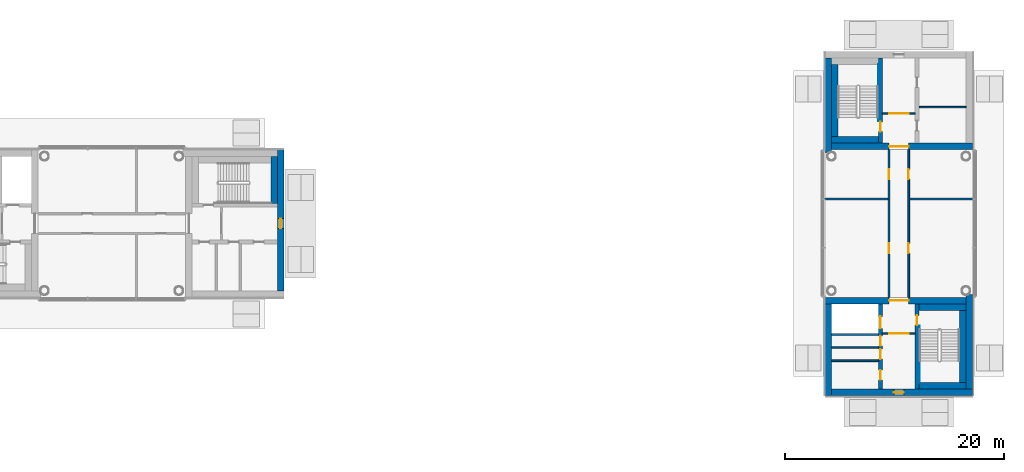
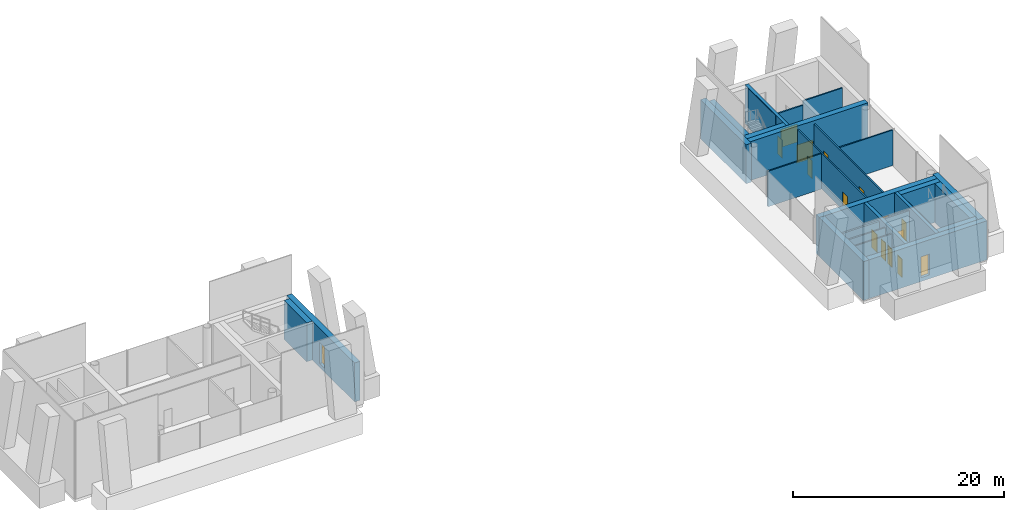
# One storey, part 6 of 12: 28 walls, 14 doors, 2 windows, 16 openings.
"""IFC4 building model written with IfcOpenShell, lengths in metres."""

import ifcopenshell
import ifcopenshell.guid

model = None  # the IFC model being written
_history = None  # IfcOwnerHistory: only IFC2X3 demands one
_inside = {}  # id of a spatial element -> (the spatial element, [elements in it])
_under = {}  # id of a project, library or spatial element -> (it, [spatial elements below it])
_declared = {}  # id of a project -> (the project, [libraries it declares])
_typed = {}  # id of a type object -> (the type object, [elements of that type])
_made_of = {}  # id of a material, layer set ... -> (it, [elements and type objects made of it])


def new_model(schema):
    """Start an empty IFC model of exactly this schema.

    Asked for "IFC4X3", IfcOpenShell would pick the latest addendum, in which some entities
    have other attributes; the version numbers below select the first issue.
    IFC2X3 requires an IfcOwnerHistory on every rooted entity: one is made here for all.
    """
    global model, _history
    if schema == "IFC4X3":
        model = ifcopenshell.file(schema_version=(4, 3, 0, 0))
    else:
        model = ifcopenshell.file(schema=schema)
    _inside.clear()
    _under.clear()
    _declared.clear()
    _typed.clear()
    _made_of.clear()
    _history = None
    if model.schema == "IFC2X3":
        org = make("IfcOrganization", Name="unknown")
        user = make(
            "IfcPersonAndOrganization",
            ThePerson=make("IfcPerson", FamilyName="unknown"),
            TheOrganization=org,
        )
        app = make(
            "IfcApplication",
            ApplicationDeveloper=org,
            Version="unknown",
            ApplicationFullName="unknown",
            ApplicationIdentifier="unknown",
        )
        _history = make(
            "IfcOwnerHistory",
            OwningUser=user,
            OwningApplication=app,
            ChangeAction="ADDED",
            CreationDate=0,
        )
    return model


def make(cls, **values):
    """One entity of the class cls with the attributes given. An attribute that is None is left unset."""
    return model.create_entity(
        cls, **{name: value for name, value in values.items() if value is not None}
    )


def rooted(cls, **values):
    """An entity with a GlobalId (a new one), such as an element, a storey or a relation."""
    return make(cls, GlobalId=ifcopenshell.guid.new(), OwnerHistory=_history, **values)


def si_unit(unit_type, name, prefix=None):
    """IfcSIUnit, for example si_unit("LENGTHUNIT", "METRE", prefix="MILLI")."""
    return make("IfcSIUnit", UnitType=unit_type, Prefix=prefix, Name=name)


def assignment(units):
    """IfcUnitAssignment: the units of a project."""
    return None if units is None else make("IfcUnitAssignment", Units=units)


def point(xyz):
    """IfcCartesianPoint."""
    return None if xyz is None else make("IfcCartesianPoint", Coordinates=xyz)


def direction(xyz):
    """IfcDirection."""
    return None if xyz is None else make("IfcDirection", DirectionRatios=xyz)


def frame(location, z_axis=None, x_axis=None):
    """IfcAxis2Placement3D, a coordinate frame: its origin and axes. An axis left out is left unset."""
    return make(
        "IfcAxis2Placement3D",
        Location=point(location),
        Axis=direction(z_axis),
        RefDirection=direction(x_axis),
    )


def frame_2d(location, x_axis=None):
    """IfcAxis2Placement2D, a coordinate frame in the plane: its origin and x axis."""
    return make(
        "IfcAxis2Placement2D", Location=point(location), RefDirection=direction(x_axis)
    )


def origin():
    """The frame at (0, 0, 0) with its axes left unset."""
    return frame((0.0, 0.0, 0.0))


def place(relative_to, where):
    """IfcLocalPlacement: puts the frame where relative to a parent placement (None: the world)."""
    return make(
        "IfcLocalPlacement", PlacementRelTo=relative_to, RelativePlacement=where
    )


def context(
    kind, dimensions, precision=None, world=None, true_north=None, identifier=None
):
    """IfcGeometricRepresentationContext, for example the 3D "Model" context."""
    return make(
        "IfcGeometricRepresentationContext",
        ContextIdentifier=identifier,
        ContextType=kind,
        CoordinateSpaceDimension=dimensions,
        Precision=precision,
        WorldCoordinateSystem=world,
        TrueNorth=true_north,
    )


def subcontext(parent, identifier, kind, view, scale=None):
    """IfcGeometricRepresentationSubContext, for example "Body" below "Model"."""
    return make(
        "IfcGeometricRepresentationSubContext",
        ContextIdentifier=identifier,
        ContextType=kind,
        ParentContext=parent,
        TargetScale=scale,
        TargetView=view,
    )


def project(units=None, contexts=None):
    """IfcProject with its units and contexts."""
    return rooted(
        "IfcProject",
        Name="project",
        RepresentationContexts=contexts,
        UnitsInContext=assignment(units),
    )


def spatial(cls, under=None, at=None, **own):
    """A site, building, storey or space (cls), placed at a placement, below another one or the project."""
    s = rooted(cls, ObjectPlacement=at, **own)
    if under is not None:
        _under.setdefault(under.id(), (under, []))[1].append(s)
    return s


def profile(cls, at=None, kind="AREA", **sizes):
    """A parametric profile (cls). Its sizes go by their IFC names, for example OverallWidth=200.0."""
    return make(cls, ProfileType=kind, Position=at, **sizes)


def rectangle(**sizes):
    """IfcRectangleProfileDef."""
    return profile("IfcRectangleProfileDef", **sizes)


def extrude(swept, where, along, depth):
    """IfcExtrudedAreaSolid: the profile swept, set in the frame where, extruded along a direction by depth."""
    return make(
        "IfcExtrudedAreaSolid",
        SweptArea=swept,
        Position=where,
        ExtrudedDirection=direction(along),
        Depth=depth,
    )


def shape(context_of_items, identifier, shape_type, items):
    """IfcShapeRepresentation: the items that make up one representation, for example the "Body"."""
    return make(
        "IfcShapeRepresentation",
        ContextOfItems=context_of_items,
        RepresentationIdentifier=identifier,
        RepresentationType=shape_type,
        Items=items,
    )


def material(Name=None, Category=None):
    """IfcMaterial."""
    return make("IfcMaterial", Name=Name, Category=Category)


def layer(
    of_material, thickness, ventilated=None, Name=None, Category=None, Priority=None
):
    """IfcMaterialLayer: one layer of a wall or slab, of a material (None: an air gap)."""
    return make(
        "IfcMaterialLayer",
        Material=of_material,
        LayerThickness=thickness,
        IsVentilated=ventilated,
        Name=Name,
        Category=Category,
        Priority=Priority,
    )


def layer_set(layers, Name=None):
    """IfcMaterialLayerSet."""
    return make("IfcMaterialLayerSet", MaterialLayers=layers, LayerSetName=Name)


def made_of(thing, what):
    """Note that an element or type object is made of a material, layer set ...; save() writes the relation."""
    if what is not None:
        _made_of.setdefault(what.id(), (what, []))[1].append(thing)
    return thing


def type_object(cls, material=None, **own):
    """A type object (cls), such as IfcWallType, which elements share."""
    return made_of(rooted(cls, **own), material)


def element(
    cls,
    number,
    at=None,
    inside=None,
    cuts=None,
    type_object=None,
    material=None,
    context=None,
    identifier="Body",
    shape_type=None,
    held_by="IfcProductDefinitionShape",
    body=None,
    shapes=None,
    **own,
):
    """One element of the class cls, such as IfcWall. Its Tag is "e" and its number.

    at: its placement. inside: the storey or other place that contains it. cuts: it is an
    opening in that element (IfcRelVoidsElement). A single representation is given by context,
    identifier, shape_type and body (its items); several are given by shapes. held_by: the class
    of the entity that holds the representations. save() writes the other relations.
    """
    e = rooted(cls, Tag="e%d" % number, ObjectPlacement=at, **own)
    if body is not None:
        shapes = [shape(context, identifier, shape_type, body)]
    if shapes is not None:
        e.Representation = make(held_by, Representations=shapes)
    if inside is not None:
        _inside.setdefault(inside.id(), (inside, []))[1].append(e)
    if cuts is not None:
        rooted(
            "IfcRelVoidsElement", RelatingBuildingElement=cuts, RelatedOpeningElement=e
        )
    if type_object is not None:
        _typed.setdefault(type_object.id(), (type_object, []))[1].append(e)
    return made_of(e, material)


def fill(opening, filler):
    """IfcRelFillsElement: the door or window that sits in an opening."""
    return rooted(
        "IfcRelFillsElement",
        RelatingOpeningElement=opening,
        RelatedBuildingElement=filler,
    )


def aggregate(whole, parts):
    """IfcRelAggregates: a whole, such as a stair, and the parts it consists of."""
    return rooted("IfcRelAggregates", RelatingObject=whole, RelatedObjects=parts)


def save(model, path):
    """Write the relations noted so far, then the file.

    IfcRelAggregates (storeys below a building ...), IfcRelContainedInSpatialStructure (elements
    in a storey), IfcRelDefinesByType, IfcRelAssociatesMaterial and IfcRelDeclares: one each for
    every whole, place, type object, material and project.
    """
    for whole, parts in _under.values():
        aggregate(whole, parts)
    for where, things in _inside.values():
        rooted(
            "IfcRelContainedInSpatialStructure",
            RelatedElements=things,
            RelatingStructure=where,
        )
    for kind, things in _typed.values():
        rooted("IfcRelDefinesByType", RelatedObjects=things, RelatingType=kind)
    for what, things in _made_of.values():
        rooted("IfcRelAssociatesMaterial", RelatedObjects=things, RelatingMaterial=what)
    for by, libraries in _declared.values():
        rooted("IfcRelDeclares", RelatingContext=by, RelatedDefinitions=libraries)
    model.write(path)


model = new_model("IFC4")

# Units and contexts
model_context = context("Model", 3, precision=1e-05, world=origin(), true_north=direction((0.0, 1.0)))
body_context = subcontext(model_context, "Body", "Model", "MODEL_VIEW")
ifc_project = project(units=[si_unit("LENGTHUNIT", "METRE"), si_unit("AREAUNIT", "SQUARE_METRE"), si_unit("VOLUMEUNIT", "CUBIC_METRE"), si_unit("PLANEANGLEUNIT", "RADIAN"), si_unit("MASSUNIT", "GRAM", prefix="KILO")], contexts=[model_context])

# Site, building, storey
site_placement = place(None, origin())
site = spatial("IfcSite", under=ifc_project, at=site_placement, CompositionType="ELEMENT")
building_placement = place(site_placement, origin())
building = spatial("IfcBuilding", under=site, at=building_placement, Name="Ipe Terrace Towers", CompositionType="ELEMENT")
storey_placement = place(building_placement, frame((0.0, 0.0, 255.89990234375)))
storey = spatial("IfcBuildingStorey", under=building, at=storey_placement, Name="L70", CompositionType="ELEMENT", Elevation=255.89990234375)

# Wall, opening, door
ifc_material_1 = material(Name="Gypsum board partition", Category="plasterboard")
ifc_layer_1 = layer(ifc_material_1, 0.14990234375)
ifc_layer_set_1 = layer_set([ifc_layer_1], Name="Gypsum board partition 150 mm")
wall_type_1 = type_object("IfcWallType", Name="Gypsum board partition 150 mm", PredefinedType="PARTITIONING", material=ifc_layer_set_1)
wall_1_placement = place(storey_placement, frame((37.5, 10.050048828125, 0.0), z_axis=(0.0, 0.0, 1.0), x_axis=(-1.0, 0.0, 0.0)))
wall_1 = element("IfcWall", 1, at=wall_1_placement, inside=storey, type_object=wall_type_1, Name="Gypsum board partition T2 L70 t2c1-lobby-wall", PredefinedType="PARTITIONING", context=body_context, shape_type="SweptSolid", body=[
    extrude(rectangle(XDim=3.0, YDim=0.14990234375, at=frame_2d((1.5, 0.0))), origin(), (0.0, 0.0, 1.0), 4.10009765625),
])
opening_1_placement = place(wall_1_placement, frame((0.60009765625, 0.0, 0.0)))
opening_1 = element("IfcOpeningElement", 2, at=opening_1_placement, cuts=wall_1, Name="Opening T2C1-VD", PredefinedType="OPENING", context=body_context, shape_type="SweptSolid", body=[
    extrude(rectangle(XDim=1.800048828125, YDim=2.10009765625, at=frame_2d((0.89990234375, 1.050048828125))), frame((0.0, 0.0849609375, 0.0), z_axis=(0.0, -1.0, 0.0), x_axis=(1.0, 0.0, 0.0)), (0.0, 0.0, 1.0), 0.169921875),
])
ifc_material_2 = material(Name="Fire-rated timber door leaf", Category="wood")
door_type_1 = type_object("IfcDoorType", Name="Lobby door 1800 x 2100 FD60", OperationType="NOTDEFINED", PredefinedType="DOOR", material=ifc_material_2)
door_1_placement = place(opening_1_placement, origin())
door_1 = element("IfcDoor", 3, at=door_1_placement, inside=storey, type_object=door_type_1, Name="Lobby door T2C1-VD", OperationType="SINGLE_SWING_LEFT", OverallHeight=2.10009765625, OverallWidth=1.800048828125, PredefinedType="DOOR", context=body_context, shape_type="SweptSolid", body=[
    extrude(rectangle(XDim=1.800048828125, YDim=2.10009765625, at=frame_2d((0.89990234375, 1.050048828125))), frame((0.0, 0.02490234375, 0.0), z_axis=(0.0, -1.0, 0.0), x_axis=(1.0, 0.0, 0.0)), (0.0, 0.0, 1.0), 0.050048828125),
])
fill(opening_1, door_1)

# Wall
wall_2_placement = place(storey_placement, frame((42.14990234375, 10.64990234375, 0.0), z_axis=(0.0, 0.0, 1.0), x_axis=(-1.0, 0.0, 0.0)))
element("IfcWall", 4, at=wall_2_placement, inside=storey, type_object=wall_type_1, Name="Gypsum board partition T2 L70 t2c1-p2-div", PredefinedType="PARTITIONING", context=body_context, shape_type="SweptSolid", body=[
    extrude(rectangle(XDim=4.2998046875, YDim=0.14990234375, at=frame_2d((2.14990234375, 0.0))), origin(), (0.0, 0.0, 1.0), 4.10009765625),
])

# Wall, opening, door
wall_3_placement = place(storey_placement, frame((34.5, -10.050048828125, 0.0), z_axis=(0.0, 0.0, 1.0), x_axis=(1.0, 0.0, 0.0)))
wall_3 = element("IfcWall", 5, at=wall_3_placement, inside=storey, type_object=wall_type_1, Name="Gypsum board partition T2 L70 t2c2-lobby-wall", PredefinedType="PARTITIONING", context=body_context, shape_type="SweptSolid", body=[
    extrude(rectangle(XDim=3.0, YDim=0.14990234375, at=frame_2d((1.5, 0.0))), origin(), (0.0, 0.0, 1.0), 4.10009765625),
])
opening_2_placement = place(wall_3_placement, frame((0.60009765625, 0.0, 0.0)))
opening_2 = element("IfcOpeningElement", 6, at=opening_2_placement, cuts=wall_3, Name="Opening T2C2-VD", PredefinedType="OPENING", context=body_context, shape_type="SweptSolid", body=[
    extrude(rectangle(XDim=1.800048828125, YDim=2.10009765625, at=frame_2d((0.89990234375, 1.050048828125))), frame((0.0, 0.0849609375, 0.0), z_axis=(0.0, -1.0, 0.0), x_axis=(1.0, 0.0, 0.0)), (0.0, 0.0, 1.0), 0.169921875),
])
door_2_placement = place(opening_2_placement, origin())
door_2 = element("IfcDoor", 7, at=door_2_placement, inside=storey, type_object=door_type_1, Name="Lobby door T2C2-VD", OperationType="SINGLE_SWING_LEFT", OverallHeight=2.10009765625, OverallWidth=1.800048828125, PredefinedType="DOOR", context=body_context, shape_type="SweptSolid", body=[
    extrude(rectangle(XDim=1.800048828125, YDim=2.10009765625, at=frame_2d((0.89990234375, 1.050048828125))), frame((0.0, 0.02490234375, 0.0), z_axis=(0.0, -1.0, 0.0), x_axis=(1.0, 0.0, 0.0)), (0.0, 0.0, 1.0), 0.050048828125),
])
fill(opening_2, door_2)

# Walls
for number, where, z_axis, x_axis, name in (
    (8, (29.85009765625, -11.35009765625, 0.0), (0.0, 0.0, 1.0), (1.0, 0.0, 0.0), "Gypsum board partition T2 L70 t2c2-q2-div"),
    (9, (29.85009765625, -12.550048828125, 0.0), (0.0, 0.0, 1.0), (1.0, 0.0, 0.0), "Gypsum board partition T2 L70 t2c2-q3-div"),
):
    element("IfcWall", number, at=place(storey_placement, frame(where, z_axis=z_axis, x_axis=x_axis)), inside=storey, type_object=wall_type_1, Name=name, PredefinedType="PARTITIONING", context=body_context, shape_type="SweptSolid", body=[
        extrude(rectangle(XDim=4.2998046875, YDim=0.14990234375, at=frame_2d((2.14990234375, 0.0))), origin(), (0.0, 0.0, 1.0), 4.10009765625),
    ])

# Wall, openings, doors
wall_4_placement = place(storey_placement, frame((35.10009765625, -6.75, 0.0), z_axis=(0.0, 0.0, 1.0), x_axis=(0.0, 1.0, 0.0)))
wall_4 = element("IfcWall", 10, at=wall_4_placement, inside=storey, type_object=wall_type_1, Name="Gypsum board partition T2 L70 sp-hub-wp", PredefinedType="PARTITIONING", context=body_context, shape_type="SweptSolid", body=[
    extrude(rectangle(XDim=13.5, YDim=0.14990234375, at=frame_2d((6.75, 0.0))), origin(), (0.0, 0.0, 1.0), 4.10009765625),
])
opening_3_placement = place(wall_4_placement, frame((4.050048828125, 0.0, 0.0)))
opening_3 = element("IfcOpeningElement", 11, at=opening_3_placement, cuts=wall_4, Name="Opening T2-SP-HP1", PredefinedType="OPENING", context=body_context, shape_type="SweptSolid", body=[
    extrude(rectangle(XDim=0.89990234375, YDim=2.10009765625, at=frame_2d((0.449951171875, 1.050048828125))), frame((0.0, 0.0849609375, 0.0), z_axis=(0.0, -1.0, 0.0), x_axis=(1.0, 0.0, 0.0)), (0.0, 0.0, 1.0), 0.169921875),
])
opening_4_placement = place(wall_4_placement, frame((10.800048828125, 0.0, 0.0)))
opening_4 = element("IfcOpeningElement", 12, at=opening_4_placement, cuts=wall_4, Name="Opening T2-SP-HP2", PredefinedType="OPENING", context=body_context, shape_type="SweptSolid", body=[
    extrude(rectangle(XDim=0.89990234375, YDim=2.10009765625, at=frame_2d((0.449951171875, 1.050048828125))), frame((0.0, 0.0849609375, 0.0), z_axis=(0.0, -1.0, 0.0), x_axis=(1.0, 0.0, 0.0)), (0.0, 0.0, 1.0), 0.169921875),
])
ifc_material_3 = material(Name="Fire-rated timber door leaf", Category="wood")
door_type_2 = type_object("IfcDoorType", Name="Service door 900 x 2100 FD60", OperationType="NOTDEFINED", PredefinedType="DOOR", material=ifc_material_3)
door_3_placement = place(opening_3_placement, origin())
door_3 = element("IfcDoor", 13, at=door_3_placement, inside=storey, type_object=door_type_2, Name="Service door T2-SP-HP1", OperationType="SINGLE_SWING_RIGHT", OverallHeight=2.10009765625, OverallWidth=0.89990234375, PredefinedType="DOOR", context=body_context, shape_type="SweptSolid", body=[
    extrude(rectangle(XDim=0.89990234375, YDim=2.10009765625, at=frame_2d((0.449951171875, 1.050048828125))), frame((0.0, 0.02490234375, 0.0), z_axis=(0.0, -1.0, 0.0), x_axis=(1.0, 0.0, 0.0)), (0.0, 0.0, 1.0), 0.050048828125),
])
fill(opening_3, door_3)
door_4_placement = place(opening_4_placement, origin())
door_4 = element("IfcDoor", 14, at=door_4_placement, inside=storey, type_object=door_type_2, Name="Service door T2-SP-HP2", OperationType="SINGLE_SWING_LEFT", OverallHeight=2.10009765625, OverallWidth=0.89990234375, PredefinedType="DOOR", context=body_context, shape_type="SweptSolid", body=[
    extrude(rectangle(XDim=0.89990234375, YDim=2.10009765625, at=frame_2d((0.449951171875, 1.050048828125))), frame((0.0, 0.02490234375, 0.0), z_axis=(0.0, -1.0, 0.0), x_axis=(1.0, 0.0, 0.0)), (0.0, 0.0, 1.0), 0.050048828125),
])
fill(opening_4, door_4)

# Wall
wall_5_placement = place(storey_placement, frame((35.02490234375, 2.25, 0.0), z_axis=(0.0, 0.0, 1.0), x_axis=(-1.0, 0.0, 0.0)))
element("IfcWall", 15, at=wall_5_placement, inside=storey, type_object=wall_type_1, Name="Gypsum board partition T2 L70 sp-hub-dp", PredefinedType="PARTITIONING", context=body_context, shape_type="SweptSolid", body=[
    extrude(rectangle(XDim=5.875, YDim=0.14990234375, at=frame_2d((2.9375, 0.0))), origin(), (0.0, 0.0, 1.0), 4.10009765625),
])

# Wall, openings, doors
wall_6_placement = place(storey_placement, frame((36.89990234375, -6.75, 0.0), z_axis=(0.0, 0.0, 1.0), x_axis=(0.0, 1.0, 0.0)))
wall_6 = element("IfcWall", 16, at=wall_6_placement, inside=storey, type_object=wall_type_1, Name="Gypsum board partition T2 L70 sp-hub-wm", PredefinedType="PARTITIONING", context=body_context, shape_type="SweptSolid", body=[
    extrude(rectangle(XDim=13.5, YDim=0.14990234375, at=frame_2d((6.75, 0.0))), origin(), (0.0, 0.0, 1.0), 4.10009765625),
])
opening_5_placement = place(wall_6_placement, frame((4.050048828125, 0.0, 0.0)))
opening_5 = element("IfcOpeningElement", 17, at=opening_5_placement, cuts=wall_6, Name="Opening T2-SP-HM1", PredefinedType="OPENING", context=body_context, shape_type="SweptSolid", body=[
    extrude(rectangle(XDim=0.89990234375, YDim=2.10009765625, at=frame_2d((0.449951171875, 1.050048828125))), frame((0.0, 0.0849609375, 0.0), z_axis=(0.0, -1.0, 0.0), x_axis=(1.0, 0.0, 0.0)), (0.0, 0.0, 1.0), 0.169921875),
])
opening_6_placement = place(wall_6_placement, frame((10.800048828125, 0.0, 0.0)))
opening_6 = element("IfcOpeningElement", 18, at=opening_6_placement, cuts=wall_6, Name="Opening T2-SP-HM2", PredefinedType="OPENING", context=body_context, shape_type="SweptSolid", body=[
    extrude(rectangle(XDim=0.89990234375, YDim=2.10009765625, at=frame_2d((0.449951171875, 1.050048828125))), frame((0.0, 0.0849609375, 0.0), z_axis=(0.0, -1.0, 0.0), x_axis=(1.0, 0.0, 0.0)), (0.0, 0.0, 1.0), 0.169921875),
])
door_5_placement = place(opening_5_placement, origin())
door_5 = element("IfcDoor", 19, at=door_5_placement, inside=storey, type_object=door_type_2, Name="Service door T2-SP-HM1", OperationType="SINGLE_SWING_LEFT", OverallHeight=2.10009765625, OverallWidth=0.89990234375, PredefinedType="DOOR", context=body_context, shape_type="SweptSolid", body=[
    extrude(rectangle(XDim=0.89990234375, YDim=2.10009765625, at=frame_2d((0.449951171875, 1.050048828125))), frame((0.0, 0.02490234375, 0.0), z_axis=(0.0, -1.0, 0.0), x_axis=(1.0, 0.0, 0.0)), (0.0, 0.0, 1.0), 0.050048828125),
])
fill(opening_5, door_5)
door_6_placement = place(opening_6_placement, origin())
door_6 = element("IfcDoor", 20, at=door_6_placement, inside=storey, type_object=door_type_2, Name="Service door T2-SP-HM2", OperationType="SINGLE_SWING_RIGHT", OverallHeight=2.10009765625, OverallWidth=0.89990234375, PredefinedType="DOOR", context=body_context, shape_type="SweptSolid", body=[
    extrude(rectangle(XDim=0.89990234375, YDim=2.10009765625, at=frame_2d((0.449951171875, 1.050048828125))), frame((0.0, 0.02490234375, 0.0), z_axis=(0.0, -1.0, 0.0), x_axis=(1.0, 0.0, 0.0)), (0.0, 0.0, 1.0), 0.050048828125),
])
fill(opening_6, door_6)

# Walls
wall_7_placement = place(storey_placement, frame((36.97509765625, 2.25, 0.0), z_axis=(0.0, 0.0, 1.0), x_axis=(1.0, 0.0, 0.0)))
element("IfcWall", 21, at=wall_7_placement, inside=storey, type_object=wall_type_1, Name="Gypsum board partition T2 L70 sp-hub-dm", PredefinedType="PARTITIONING", context=body_context, shape_type="SweptSolid", body=[
    extrude(rectangle(XDim=5.875, YDim=0.14990234375, at=frame_2d((2.9375, 0.0))), origin(), (0.0, 0.0, 1.0), 4.10009765625),
])
ifc_material_4 = material(Name="Gypsum board party wall", Category="plasterboard")
ifc_layer_2 = layer(ifc_material_4, 0.199951171875)
ifc_layer_set_2 = layer_set([ifc_layer_2], Name="Gypsum board party wall 200 mm")
wall_type_2 = type_object("IfcWallType", Name="Gypsum board party wall 200 mm", PredefinedType="SOLIDWALL", material=ifc_layer_set_2)
wall_8_placement = place(storey_placement, frame((29.85009765625, -10.14990234375, 0.0), z_axis=(0.0, 0.0, 1.0), x_axis=(1.0, 0.0, 0.0)))
element("IfcWall", 22, at=wall_8_placement, inside=storey, type_object=wall_type_2, Name="Gypsum board party wall T2 L70 t2c2-shaft-div1", PredefinedType="SOLIDWALL", context=body_context, shape_type="SweptSolid", body=[
    extrude(rectangle(XDim=4.2998046875, YDim=0.199951171875, at=frame_2d((2.14990234375, 0.0))), origin(), (0.0, 0.0, 1.0), 4.10009765625),
])

# Wall, opening, door
ifc_material_5 = material(Name="Concrete C40/50", Category="concrete")
ifc_layer_3 = layer(ifc_material_5, 0.35009765625)
ifc_layer_set_3 = layer_set([ifc_layer_3], Name="RW350 CORE SPINE WALL 350 C40-50")
wall_type_3 = type_object("IfcWallType", Name="RW350 CORE SPINE WALL 350 C40-50", PredefinedType="SHEAR", material=ifc_layer_set_3)
wall_9_placement = place(storey_placement, frame((34.324951171875, 7.35009765625, 0.0), z_axis=(0.0, 0.0, 1.0), x_axis=(0.0, 1.0, 0.0)))
wall_9 = element("IfcWall", 23, at=wall_9_placement, inside=storey, type_object=wall_type_3, Name="Core spine wall T2-C1-Z4-SW1", PredefinedType="SHEAR", context=body_context, shape_type="SweptSolid", body=[
    extrude(rectangle(XDim=7.7998046875, YDim=0.35009765625, at=frame_2d((3.89990234375, 0.0))), origin(), (0.0, 0.0, 1.0), 4.5),
])
opening_7_placement = place(wall_9_placement, frame((1.050048828125, 0.0, 0.0)))
opening_7 = element("IfcOpeningElement", 24, at=opening_7_placement, cuts=wall_9, Name="Opening T2C1-SD", PredefinedType="OPENING", context=body_context, shape_type="SweptSolid", body=[
    extrude(rectangle(XDim=0.89990234375, YDim=2.10009765625, at=frame_2d((0.449951171875, 1.050048828125))), frame((0.0, 0.18505859375, 0.0), z_axis=(0.0, -1.0, 0.0), x_axis=(1.0, 0.0, 0.0)), (0.0, 0.0, 1.0), 0.3701171875),
])
ifc_material_6 = material(Name="Fire-rated timber door leaf", Category="wood")
door_type_3 = type_object("IfcDoorType", Name="Stair door 900 x 2100 FD60", OperationType="NOTDEFINED", PredefinedType="DOOR", material=ifc_material_6)
door_7_placement = place(opening_7_placement, origin())
door_7 = element("IfcDoor", 25, at=door_7_placement, inside=storey, type_object=door_type_3, Name="Stair door T2C1-SD", OperationType="SINGLE_SWING_LEFT", OverallHeight=2.10009765625, OverallWidth=0.89990234375, PredefinedType="DOOR", context=body_context, shape_type="SweptSolid", body=[
    extrude(rectangle(XDim=0.89990234375, YDim=2.10009765625, at=frame_2d((0.449951171875, 1.050048828125))), frame((0.0, 0.02490234375, 0.0), z_axis=(0.0, -1.0, 0.0), x_axis=(1.0, 0.0, 0.0)), (0.0, 0.0, 1.0), 0.050048828125),
])
fill(opening_7, door_7)

# Wall, openings, doors
wall_10_placement = place(storey_placement, frame((34.324951171875, -15.14990234375, 0.0), z_axis=(0.0, 0.0, 1.0), x_axis=(0.0, 1.0, 0.0)))
wall_10 = element("IfcWall", 26, at=wall_10_placement, inside=storey, type_object=wall_type_3, Name="Core spine wall T2-C2-Z4-SW1", PredefinedType="SHEAR", context=body_context, shape_type="SweptSolid", body=[
    extrude(rectangle(XDim=7.7998046875, YDim=0.35009765625, at=frame_2d((3.89990234375, 0.0))), origin(), (0.0, 0.0, 1.0), 4.5),
])
opening_8_placement = place(wall_10_placement, frame((5.550048828125, 0.0, 0.0)))
opening_8 = element("IfcOpeningElement", 27, at=opening_8_placement, cuts=wall_10, Name="Opening T2C2-LD1", PredefinedType="OPENING", context=body_context, shape_type="SweptSolid", body=[
    extrude(rectangle(XDim=1.10009765625, YDim=2.10009765625, at=frame_2d((0.550048828125, 1.050048828125))), frame((0.0, 0.18505859375, 0.0), z_axis=(0.0, -1.0, 0.0), x_axis=(1.0, 0.0, 0.0)), (0.0, 0.0, 1.0), 0.3701171875),
])
opening_9_placement = place(wall_10_placement, frame((3.949951171875, 0.0, 0.0)))
opening_9 = element("IfcOpeningElement", 28, at=opening_9_placement, cuts=wall_10, Name="Opening T2C2-R1", PredefinedType="OPENING", context=body_context, shape_type="SweptSolid", body=[
    extrude(rectangle(XDim=0.89990234375, YDim=2.10009765625, at=frame_2d((0.449951171875, 1.050048828125))), frame((0.0, 0.18505859375, 0.0), z_axis=(0.0, -1.0, 0.0), x_axis=(1.0, 0.0, 0.0)), (0.0, 0.0, 1.0), 0.3701171875),
])
opening_10_placement = place(wall_10_placement, frame((2.75, 0.0, 0.0)))
opening_10 = element("IfcOpeningElement", 29, at=opening_10_placement, cuts=wall_10, Name="Opening T2C2-R2", PredefinedType="OPENING", context=body_context, shape_type="SweptSolid", body=[
    extrude(rectangle(XDim=0.89990234375, YDim=2.10009765625, at=frame_2d((0.449951171875, 1.050048828125))), frame((0.0, 0.18505859375, 0.0), z_axis=(0.0, -1.0, 0.0), x_axis=(1.0, 0.0, 0.0)), (0.0, 0.0, 1.0), 0.3701171875),
])
opening_11_placement = place(wall_10_placement, frame((0.85009765625, 0.0, 0.0)))
opening_11 = element("IfcOpeningElement", 30, at=opening_11_placement, cuts=wall_10, Name="Opening T2C2-R3", PredefinedType="OPENING", context=body_context, shape_type="SweptSolid", body=[
    extrude(rectangle(XDim=0.89990234375, YDim=2.10009765625, at=frame_2d((0.449951171875, 1.050048828125))), frame((0.0, 0.18505859375, 0.0), z_axis=(0.0, -1.0, 0.0), x_axis=(1.0, 0.0, 0.0)), (0.0, 0.0, 1.0), 0.3701171875),
])
ifc_material_7 = material(Name="Fire-rated timber door leaf", Category="wood")
door_type_4 = type_object("IfcDoorType", Name="Sliding door 1100 x 2100 FD60", OperationType="SLIDING_TO_LEFT", PredefinedType="DOOR", material=ifc_material_7)
door_8_placement = place(opening_8_placement, origin())
door_8 = element("IfcDoor", 31, at=door_8_placement, inside=storey, type_object=door_type_4, Name="Sliding door T2C2-LD1", OperationType="SLIDING_TO_LEFT", OverallHeight=2.10009765625, OverallWidth=1.10009765625, PredefinedType="DOOR", context=body_context, shape_type="SweptSolid", body=[
    extrude(rectangle(XDim=1.10009765625, YDim=2.10009765625, at=frame_2d((0.550048828125, 1.050048828125))), frame((0.0, 0.02490234375, 0.0), z_axis=(0.0, -1.0, 0.0), x_axis=(1.0, 0.0, 0.0)), (0.0, 0.0, 1.0), 0.050048828125),
])
fill(opening_8, door_8)
ifc_material_8 = material(Name="Timber door leaf", Category="wood")
door_type_5 = type_object("IfcDoorType", Name="Store door 900 x 2100", OperationType="NOTDEFINED", PredefinedType="DOOR", material=ifc_material_8)
door_9_placement = place(opening_9_placement, origin())
door_9 = element("IfcDoor", 32, at=door_9_placement, inside=storey, type_object=door_type_5, Name="Store door T2C2-R1", OperationType="SINGLE_SWING_LEFT", OverallHeight=2.10009765625, OverallWidth=0.89990234375, PredefinedType="DOOR", context=body_context, shape_type="SweptSolid", body=[
    extrude(rectangle(XDim=0.89990234375, YDim=2.10009765625, at=frame_2d((0.449951171875, 1.050048828125))), frame((0.0, 0.02490234375, 0.0), z_axis=(0.0, -1.0, 0.0), x_axis=(1.0, 0.0, 0.0)), (0.0, 0.0, 1.0), 0.050048828125),
])
fill(opening_9, door_9)
door_10_placement = place(opening_10_placement, origin())
door_10 = element("IfcDoor", 33, at=door_10_placement, inside=storey, type_object=door_type_5, Name="Store door T2C2-R2", OperationType="SINGLE_SWING_RIGHT", OverallHeight=2.10009765625, OverallWidth=0.89990234375, PredefinedType="DOOR", context=body_context, shape_type="SweptSolid", body=[
    extrude(rectangle(XDim=0.89990234375, YDim=2.10009765625, at=frame_2d((0.449951171875, 1.050048828125))), frame((0.0, 0.02490234375, 0.0), z_axis=(0.0, -1.0, 0.0), x_axis=(1.0, 0.0, 0.0)), (0.0, 0.0, 1.0), 0.050048828125),
])
fill(opening_10, door_10)
door_11_placement = place(opening_11_placement, origin())
door_11 = element("IfcDoor", 34, at=door_11_placement, inside=storey, type_object=door_type_5, Name="Store door T2C2-R3", OperationType="SINGLE_SWING_LEFT", OverallHeight=2.10009765625, OverallWidth=0.89990234375, PredefinedType="DOOR", context=body_context, shape_type="SweptSolid", body=[
    extrude(rectangle(XDim=0.89990234375, YDim=2.10009765625, at=frame_2d((0.449951171875, 1.050048828125))), frame((0.0, 0.02490234375, 0.0), z_axis=(0.0, -1.0, 0.0), x_axis=(1.0, 0.0, 0.0)), (0.0, 0.0, 1.0), 0.050048828125),
])
fill(opening_11, door_11)

# Wall, opening, door
wall_11_placement = place(storey_placement, frame((37.675048828125, -15.14990234375, 0.0), z_axis=(0.0, 0.0, 1.0), x_axis=(0.0, 1.0, 0.0)))
wall_11 = element("IfcWall", 35, at=wall_11_placement, inside=storey, type_object=wall_type_3, Name="Core spine wall T2-C2-Z4-SW2", PredefinedType="SHEAR", context=body_context, shape_type="SweptSolid", body=[
    extrude(rectangle(XDim=7.7998046875, YDim=0.35009765625, at=frame_2d((3.89990234375, 0.0))), origin(), (0.0, 0.0, 1.0), 4.5),
])
opening_12_placement = place(wall_11_placement, frame((5.85009765625, 0.0, 0.0)))
opening_12 = element("IfcOpeningElement", 36, at=opening_12_placement, cuts=wall_11, Name="Opening T2C2-SD", PredefinedType="OPENING", context=body_context, shape_type="SweptSolid", body=[
    extrude(rectangle(XDim=0.89990234375, YDim=2.10009765625, at=frame_2d((0.449951171875, 1.050048828125))), frame((0.0, 0.18505859375, 0.0), z_axis=(0.0, -1.0, 0.0), x_axis=(1.0, 0.0, 0.0)), (0.0, 0.0, 1.0), 0.3701171875),
])
door_12_placement = place(opening_12_placement, origin())
door_12 = element("IfcDoor", 37, at=door_12_placement, inside=storey, type_object=door_type_3, Name="Stair door T2C2-SD", OperationType="SINGLE_SWING_RIGHT", OverallHeight=2.10009765625, OverallWidth=0.89990234375, PredefinedType="DOOR", context=body_context, shape_type="SweptSolid", body=[
    extrude(rectangle(XDim=0.89990234375, YDim=2.10009765625, at=frame_2d((0.449951171875, 1.050048828125))), frame((0.0, 0.02490234375, 0.0), z_axis=(0.0, -1.0, 0.0), x_axis=(1.0, 0.0, 0.0)), (0.0, 0.0, 1.0), 0.050048828125),
])
fill(opening_12, door_12)

# Walls
ifc_material_9 = material(Name="Concrete C40/50", Category="concrete")
ifc_layer_4 = layer(ifc_material_9, 0.050048828125)
ifc_layer_set_4 = layer_set([ifc_layer_4], Name="RW50 CORE INFILL WALL 50 C40-50")
wall_type_4 = type_object("IfcWallType", Name="RW50 CORE INFILL WALL 50 C40-50", PredefinedType="SHEAR", material=ifc_layer_set_4)
for number, where, z_axis, x_axis, name in (
    (38, (34.125, 9.35009765625, 0.0), (0.0, 0.0, 1.0), (0.0, 1.0, 0.0), "Core infill wall T2-C1-spine-b"),
    (39, (37.875, -9.35009765625, 0.0), (0.0, 0.0, 1.0), (0.0, -1.0, 0.0), "Core infill wall T2-C2-spine-b"),
):
    element("IfcWall", number, at=place(storey_placement, frame(where, z_axis=z_axis, x_axis=x_axis)), inside=storey, type_object=wall_type_4, Name=name, PredefinedType="SHEAR", context=body_context, shape_type="SweptSolid", body=[
        extrude(rectangle(XDim=5.199951171875, YDim=0.050048828125, at=frame_2d((2.60009765625, 0.0))), origin(), (0.0, 0.0, 1.0), 4.5),
    ])
ifc_material_10 = material(Name="Concrete C40/50", Category="concrete")
ifc_layer_5 = layer(ifc_material_10, 0.60009765625)
ifc_layer_set_5 = layer_set([ifc_layer_5], Name="RW600 CORE INFILL WALL 600 C40-50")
wall_type_5 = type_object("IfcWallType", Name="RW600 CORE INFILL WALL 600 C40-50", PredefinedType="SHEAR", material=ifc_layer_set_5)
wall_12_placement = place(storey_placement, frame((-21.14990234375, 1.85009765625, 0.0), z_axis=(0.0, 0.0, 1.0), x_axis=(0.0, 1.0, 0.0)))
element("IfcWall", 40, at=wall_12_placement, inside=storey, type_object=wall_type_5, Name="Core infill wall T1-C1-far", PredefinedType="SHEAR", context=body_context, shape_type="SweptSolid", body=[
    extrude(rectangle(XDim=4.2998046875, YDim=0.60009765625, at=frame_2d((2.14990234375, 0.0))), origin(), (0.0, 0.0, 1.0), 4.5),
])
wall_13_placement = place(storey_placement, frame((30.14990234375, 7.949951171875, 0.0), z_axis=(0.0, 0.0, 1.0), x_axis=(0.0, 1.0, 0.0)))
element("IfcWall", 41, at=wall_13_placement, inside=storey, type_object=wall_type_5, Name="Core infill wall T2-C1-back", PredefinedType="SHEAR", context=body_context, shape_type="SweptSolid", body=[
    extrude(rectangle(XDim=6.60009765625, YDim=0.60009765625, at=frame_2d((3.300048828125, 0.0))), origin(), (0.0, 0.0, 1.0), 4.5),
])
for number, where, z_axis, x_axis, name in (
    (42, (34.14990234375, 7.64990234375, 0.0), (0.0, 0.0, 1.0), (-1.0, 0.0, 0.0), "Core infill wall T2-C1-near"),
    (43, (37.85009765625, -14.85009765625, 0.0), (0.0, 0.0, 1.0), (1.0, 0.0, 0.0), "Core infill wall T2-C2-far"),
):
    element("IfcWall", number, at=place(storey_placement, frame(where, z_axis=z_axis, x_axis=x_axis)), inside=storey, type_object=wall_type_5, Name=name, PredefinedType="SHEAR", context=body_context, shape_type="SweptSolid", body=[
        extrude(rectangle(XDim=4.2998046875, YDim=0.60009765625, at=frame_2d((2.14990234375, 0.0))), origin(), (0.0, 0.0, 1.0), 4.5),
    ])
wall_14_placement = place(storey_placement, frame((41.85009765625, -7.949951171875, 0.0), z_axis=(0.0, 0.0, 1.0), x_axis=(0.0, -1.0, 0.0)))
element("IfcWall", 44, at=wall_14_placement, inside=storey, type_object=wall_type_5, Name="Core infill wall T2-C2-back", PredefinedType="SHEAR", context=body_context, shape_type="SweptSolid", body=[
    extrude(rectangle(XDim=6.60009765625, YDim=0.60009765625, at=frame_2d((3.300048828125, 0.0))), origin(), (0.0, 0.0, 1.0), 4.5),
])
wall_15_placement = place(storey_placement, frame((37.85009765625, -7.64990234375, 0.0), z_axis=(0.0, 0.0, 1.0), x_axis=(1.0, 0.0, 0.0)))
element("IfcWall", 45, at=wall_15_placement, inside=storey, type_object=wall_type_5, Name="Core infill wall T2-C2-near", PredefinedType="SHEAR", context=body_context, shape_type="SweptSolid", body=[
    extrude(rectangle(XDim=4.2998046875, YDim=0.60009765625, at=frame_2d((2.14990234375, 0.0))), origin(), (0.0, 0.0, 1.0), 4.5),
])

# Wall, opening, window
ifc_material_11 = material(Name="Concrete C40/50", Category="concrete")
ifc_layer_6 = layer(ifc_material_11, 0.60009765625)
ifc_layer_set_6 = layer_set([ifc_layer_6], Name="RW600 CORE WALL 600 C40-50")
wall_type_6 = type_object("IfcWallType", Name="RW600 CORE WALL 600 C40-50", PredefinedType="SHEAR", material=ifc_layer_set_6)
wall_16_placement = place(storey_placement, frame((-20.550048828125, -6.14990234375, 0.0), z_axis=(0.0, 0.0, 1.0), x_axis=(0.0, 1.0, 0.0)))
wall_16 = element("IfcWall", 46, at=wall_16_placement, inside=storey, type_object=wall_type_6, Name="Core wall T1-C1-Z4-W02", PredefinedType="SHEAR", context=body_context, shape_type="SweptSolid", body=[
    extrude(rectangle(XDim=12.89990234375, YDim=0.60009765625, at=frame_2d((6.449951171875, 0.0))), origin(), (0.0, 0.0, 1.0), 4.5),
])
opening_13_placement = place(wall_16_placement, frame((5.699951171875, 0.0, 0.449951171875)))
opening_13 = element("IfcOpeningElement", 47, at=opening_13_placement, cuts=wall_16, Name="Opening T1-C1-W-01-L70", PredefinedType="OPENING", context=body_context, shape_type="SweptSolid", body=[
    extrude(rectangle(XDim=0.89990234375, YDim=2.39990234375, at=frame_2d((0.449951171875, 1.199951171875))), frame((0.0, 0.31005859375, 0.0), z_axis=(0.0, -1.0, 0.0), x_axis=(1.0, 0.0, 0.0)), (0.0, 0.0, 1.0), 0.6201171875),
])
ifc_material_12 = material(Name="Fire-resistant glazing EI 60", Category="glass")
window_type = type_object("IfcWindowType", Name="CORRIDOR END SLOT WINDOW 900 x 2400 EI 60", PartitioningType="SINGLE_PANEL", PredefinedType="WINDOW", material=ifc_material_12)
window_1_placement = place(opening_13_placement, origin())
window_1 = element("IfcWindow", 48, at=window_1_placement, inside=storey, type_object=window_type, Name="W-01 window", OverallHeight=2.39990234375, OverallWidth=0.89990234375, PartitioningType="SINGLE_PANEL", PredefinedType="WINDOW", context=body_context, shape_type="SweptSolid", body=[
    extrude(rectangle(XDim=0.89990234375, YDim=2.39990234375, at=frame_2d((0.449951171875, 1.199951171875))), frame((0.0, 0.030029296875, 0.0), z_axis=(0.0, -1.0, 0.0), x_axis=(1.0, 0.0, 0.0)), (0.0, 0.0, 1.0), 0.06005859375),
])
fill(opening_13, window_1)

# Wall, opening, door
wall_17_placement = place(storey_placement, frame((29.85009765625, 7.050048828125, 0.0), z_axis=(0.0, 0.0, 1.0), x_axis=(1.0, 0.0, 0.0)))
wall_17 = element("IfcWall", 49, at=wall_17_placement, inside=storey, type_object=wall_type_6, Name="Core wall T2-C1-Z4-W01", PredefinedType="SHEAR", context=body_context, shape_type="SweptSolid", body=[
    extrude(rectangle(XDim=12.89990234375, YDim=0.60009765625, at=frame_2d((6.449951171875, 0.0))), origin(), (0.0, 0.0, 1.0), 4.5),
])
opening_14_placement = place(wall_17_placement, frame((5.25, 0.0, 0.0)))
opening_14 = element("IfcOpeningElement", 50, at=opening_14_placement, cuts=wall_17, Name="Opening T2C1-ND", PredefinedType="OPENING", context=body_context, shape_type="SweptSolid", body=[
    extrude(rectangle(XDim=1.800048828125, YDim=2.10009765625, at=frame_2d((0.89990234375, 1.050048828125))), frame((0.0, 0.31005859375, 0.0), z_axis=(0.0, -1.0, 0.0), x_axis=(1.0, 0.0, 0.0)), (0.0, 0.0, 1.0), 0.6201171875),
])
ifc_material_13 = material(Name="Fire-rated timber door leaf", Category="wood")
door_type_6 = type_object("IfcDoorType", Name="Fire door 1800 x 2100 FD30S", OperationType="NOTDEFINED", PredefinedType="DOOR", material=ifc_material_13)
door_13_placement = place(opening_14_placement, origin())
door_13 = element("IfcDoor", 51, at=door_13_placement, inside=storey, type_object=door_type_6, Name="Fire door T2C1-ND", OperationType="SINGLE_SWING_LEFT", OverallHeight=2.10009765625, OverallWidth=1.800048828125, PredefinedType="DOOR", context=body_context, shape_type="SweptSolid", body=[
    extrude(rectangle(XDim=1.800048828125, YDim=2.10009765625, at=frame_2d((0.89990234375, 1.050048828125))), frame((0.0, 0.02490234375, 0.0), z_axis=(0.0, -1.0, 0.0), x_axis=(1.0, 0.0, 0.0)), (0.0, 0.0, 1.0), 0.050048828125),
])
fill(opening_14, door_13)

# Wall
wall_18_placement = place(storey_placement, frame((29.550048828125, 15.14990234375, 0.0), z_axis=(0.0, 0.0, 1.0), x_axis=(0.0, -1.0, 0.0)))
element("IfcWall", 52, at=wall_18_placement, inside=storey, type_object=wall_type_6, Name="Core wall T2-C1-Z4-W04", PredefinedType="SHEAR", context=body_context, shape_type="SweptSolid", body=[
    extrude(rectangle(XDim=8.64794921875, YDim=0.60009765625, at=frame_2d((4.323974609375, 0.0))), origin(), (0.0, 0.0, 1.0), 4.5),
])

# Wall, opening, window
wall_19_placement = place(storey_placement, frame((29.85009765625, -15.449951171875, 0.0), z_axis=(0.0, 0.0, 1.0), x_axis=(1.0, 0.0, 0.0)))
wall_19 = element("IfcWall", 53, at=wall_19_placement, inside=storey, type_object=wall_type_6, Name="Core wall T2-C2-Z4-W01", PredefinedType="SHEAR", context=body_context, shape_type="SweptSolid", body=[
    extrude(rectangle(XDim=12.89990234375, YDim=0.60009765625, at=frame_2d((6.449951171875, 0.0))), origin(), (0.0, 0.0, 1.0), 4.5),
])
opening_15_placement = place(wall_19_placement, frame((5.699951171875, 0.0, 0.449951171875)))
opening_15 = element("IfcOpeningElement", 54, at=opening_15_placement, cuts=wall_19, Name="Opening T2-C2-W-01-L70", PredefinedType="OPENING", context=body_context, shape_type="SweptSolid", body=[
    extrude(rectangle(XDim=0.89990234375, YDim=2.39990234375, at=frame_2d((0.449951171875, 1.199951171875))), frame((0.0, 0.31005859375, 0.0), z_axis=(0.0, -1.0, 0.0), x_axis=(1.0, 0.0, 0.0)), (0.0, 0.0, 1.0), 0.6201171875),
])
window_2_placement = place(opening_15_placement, origin())
window_2 = element("IfcWindow", 55, at=window_2_placement, inside=storey, type_object=window_type, Name="W-01 window", OverallHeight=2.39990234375, OverallWidth=0.89990234375, PartitioningType="SINGLE_PANEL", PredefinedType="WINDOW", context=body_context, shape_type="SweptSolid", body=[
    extrude(rectangle(XDim=0.89990234375, YDim=2.39990234375, at=frame_2d((0.449951171875, 1.199951171875))), frame((0.0, 0.030029296875, 0.0), z_axis=(0.0, -1.0, 0.0), x_axis=(1.0, 0.0, 0.0)), (0.0, 0.0, 1.0), 0.06005859375),
])
fill(opening_15, window_2)

# Wall
wall_20_placement = place(storey_placement, frame((42.449951171875, -15.14990234375, 0.0), z_axis=(0.0, 0.0, 1.0), x_axis=(0.0, 1.0, 0.0)))
element("IfcWall", 56, at=wall_20_placement, inside=storey, type_object=wall_type_6, Name="Core wall T2-C2-Z4-W02", PredefinedType="SHEAR", context=body_context, shape_type="SweptSolid", body=[
    extrude(rectangle(XDim=8.64794921875, YDim=0.60009765625, at=frame_2d((4.323974609375, 0.0))), origin(), (0.0, 0.0, 1.0), 4.5),
])

# Wall, opening, door
wall_21_placement = place(storey_placement, frame((42.14990234375, -7.050048828125, 0.0), z_axis=(0.0, 0.0, 1.0), x_axis=(-1.0, 0.0, 0.0)))
wall_21 = element("IfcWall", 57, at=wall_21_placement, inside=storey, type_object=wall_type_6, Name="Core wall T2-C2-Z4-W03", PredefinedType="SHEAR", context=body_context, shape_type="SweptSolid", body=[
    extrude(rectangle(XDim=12.89990234375, YDim=0.60009765625, at=frame_2d((6.449951171875, 0.0))), origin(), (0.0, 0.0, 1.0), 4.5),
])
opening_16_placement = place(wall_21_placement, frame((5.25, 0.0, 0.0)))
opening_16 = element("IfcOpeningElement", 58, at=opening_16_placement, cuts=wall_21, Name="Opening T2C2-ND", PredefinedType="OPENING", context=body_context, shape_type="SweptSolid", body=[
    extrude(rectangle(XDim=1.800048828125, YDim=2.10009765625, at=frame_2d((0.89990234375, 1.050048828125))), frame((0.0, 0.31005859375, 0.0), z_axis=(0.0, -1.0, 0.0), x_axis=(1.0, 0.0, 0.0)), (0.0, 0.0, 1.0), 0.6201171875),
])
door_14_placement = place(opening_16_placement, origin())
door_14 = element("IfcDoor", 59, at=door_14_placement, inside=storey, type_object=door_type_6, Name="Fire door T2C2-ND", OperationType="SINGLE_SWING_LEFT", OverallHeight=2.10009765625, OverallWidth=1.800048828125, PredefinedType="DOOR", context=body_context, shape_type="SweptSolid", body=[
    extrude(rectangle(XDim=1.800048828125, YDim=2.10009765625, at=frame_2d((0.89990234375, 1.050048828125))), frame((0.0, 0.02490234375, 0.0), z_axis=(0.0, -1.0, 0.0), x_axis=(1.0, 0.0, 0.0)), (0.0, 0.0, 1.0), 0.050048828125),
])
fill(opening_16, door_14)

# Wall
wall_22_placement = place(storey_placement, frame((29.550048828125, -7.35009765625, 0.0), z_axis=(0.0, 0.0, 1.0), x_axis=(0.0, -1.0, 0.0)))
element("IfcWall", 60, at=wall_22_placement, inside=storey, type_object=wall_type_6, Name="Core wall T2-C2-Z4-W04", PredefinedType="SHEAR", context=body_context, shape_type="SweptSolid", body=[
    extrude(rectangle(XDim=8.39990234375, YDim=0.60009765625, at=frame_2d((4.199951171875, 0.0))), origin(), (0.0, 0.0, 1.0), 4.5),
])

save(model, "model.ifc")
